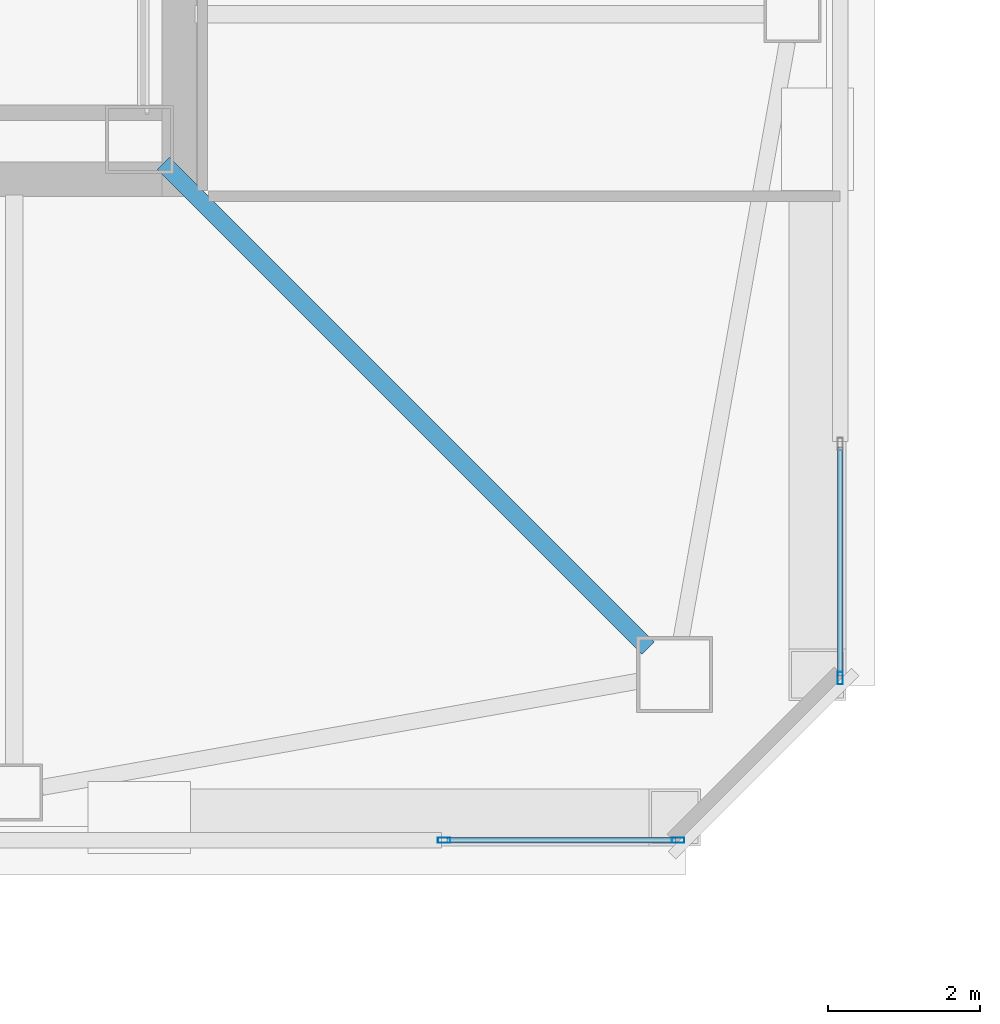
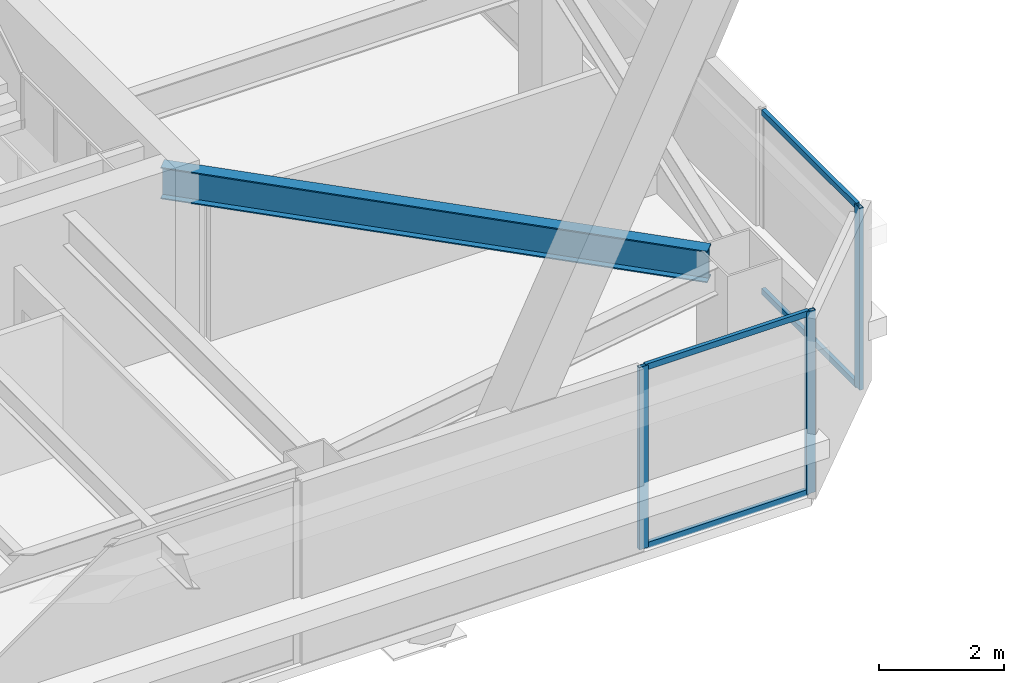
# One storey, part 13 of 56: 7 members, 1 beam, 2 elements without a shape of their own.
"""IFC4 building model written with IfcOpenShell, lengths in metres."""

from ifc_helpers import new_model, si_unit, direction, frame, origin, origin_2d, place, context, subcontext, project, spatial, hollow_rectangle, i_section, extrude, material, material_profile, profile_set, type_object, element, aggregate, save


model = new_model("IFC4")

# Units and contexts
model_context = context("Model", 3, precision=1e-05, world=origin(), true_north=direction((0.0, 1.0)))
body_context = subcontext(model_context, "Body", "Model", "MODEL_VIEW")
ifc_project = project(units=[si_unit("LENGTHUNIT", "METRE"), si_unit("AREAUNIT", "SQUARE_METRE"), si_unit("VOLUMEUNIT", "CUBIC_METRE"), si_unit("PLANEANGLEUNIT", "RADIAN"), si_unit("MASSUNIT", "GRAM", prefix="KILO")], contexts=[model_context])

# Site, building, storey
site_placement = place(None, origin())
site = spatial("IfcSite", under=ifc_project, at=site_placement, CompositionType="ELEMENT")
building_placement = place(site_placement, origin())
building = spatial("IfcBuilding", under=site, at=building_placement, Name="Tashvorn Skyway Center", CompositionType="ELEMENT")
storey_placement = place(building_placement, frame((0.0, 0.0, 218.39990234375)))
storey = spatial("IfcBuildingStorey", under=building, at=storey_placement, Name="L59", CompositionType="ELEMENT", Elevation=218.39990234375)

# Beam
ifc_material_1 = material(Name="Steel ASTM A992 Grade 50", Category="steel")
ifc_material_profile_1 = material_profile(ifc_material_1, i_section(OverallWidth=0.22998046875, OverallDepth=0.616943359375, WebThickness=0.01318359375, FlangeThickness=0.022216796875, at=origin_2d()), Name="W24X94")
ifc_profile_set_1 = profile_set([ifc_material_profile_1], Name="Steel ASTM A992 Grade 50")
beam_type = type_object("IfcBeamType", Name="BM-BEAM-W24X94", PredefinedType="BEAM", material=ifc_profile_set_1)
beam_placement = place(storey_placement, frame((55.75, 18.25, 3.0615234375), z_axis=(-0.707106781187, 0.707106781187, 0.0), x_axis=(-0.707106781187, -0.707106781187, 0.0)))
element("IfcBeam", 1, at=beam_placement, inside=storey, type_object=beam_type, Name="Tower 1 L59 Primary Floor Girder MC-SE", PredefinedType="BEAM", context=body_context, shape_type="SweptSolid", body=[
    extrude(i_section(OverallWidth=0.22998046875, OverallDepth=0.616943359375, WebThickness=0.01318359375, FlangeThickness=0.022216796875, at=origin_2d()), origin(), (0.0, 0.0, 1.0), 9.030029296875),
])

# Curtain wall, members
ifc_material_2 = material(Name="Thermally broken bronze-anodized aluminium 6063-T6", Category="aluminium")
curtain_wall_type = type_object("IfcCurtainWallType", Name="CW-CW-Z5", PredefinedType="NOTDEFINED", material=ifc_material_2)
curtain_wall_1_placement = place(storey_placement, origin())
curtain_wall_1 = element("IfcCurtainWall", 2, at=curtain_wall_1_placement, inside=storey, type_object=curtain_wall_type, Name="Tower 1 L59 South Unitised Curtain Wall Glazing Group 1", PredefinedType="NOTDEFINED")
ifc_material_profile_2 = material_profile(ifc_material_2, hollow_rectangle(XDim=0.070068359375, YDim=0.1650390625, WallThickness=0.00390625, at=origin_2d()), Name="ALU-MULL-70x165")
ifc_profile_set_2 = profile_set([ifc_material_profile_2], Name="Thermally broken bronze-anodized aluminium 6063-T6")
member_type_1 = type_object("IfcMemberType", Name="CWM-CW-Z5", PredefinedType="MULLION", material=ifc_profile_set_2)
member_1_placement = place(storey_placement, frame((56.14501953125, 15.719970703125, 0.0), z_axis=(0.0, 0.0, 1.0), x_axis=(0.0, -1.0, 0.0)))
member_1 = element("IfcMember", 3, at=member_1_placement, type_object=member_type_1, Name="CW-Z5 mullion 1", PredefinedType="MULLION", context=body_context, shape_type="SweptSolid", body=[
    extrude(hollow_rectangle(XDim=0.070068359375, YDim=0.1650390625, WallThickness=0.00390625, at=origin_2d()), origin(), (0.0, 0.0, 1.0), 3.550048828125),
])
member_2_placement = place(storey_placement, frame((53.06396484375, 15.719970703125, 0.0), z_axis=(0.0, 0.0, 1.0), x_axis=(0.0, -1.0, 0.0)))
member_2 = element("IfcMember", 4, at=member_2_placement, type_object=member_type_1, Name="CW-Z5 mullion 2", PredefinedType="MULLION", context=body_context, shape_type="SweptSolid", body=[
    extrude(hollow_rectangle(XDim=0.070068359375, YDim=0.1650390625, WallThickness=0.00390625, at=origin_2d()), origin(), (0.0, 0.0, 1.0), 3.550048828125),
])

# Curtain wall, member
curtain_wall_2_placement = place(storey_placement, origin())
curtain_wall_2 = element("IfcCurtainWall", 5, at=curtain_wall_2_placement, inside=storey, type_object=curtain_wall_type, Name="Tower 1 L59 East Unitised Curtain Wall Glazing Group 3", PredefinedType="NOTDEFINED")
member_3_placement = place(storey_placement, frame((58.280029296875, 17.85498046875, 0.0), z_axis=(0.0, 0.0, 1.0), x_axis=(1.0, 0.0, 0.0)))
member_3 = element("IfcMember", 6, at=member_3_placement, type_object=member_type_1, Name="CW-Z5 mullion 2", PredefinedType="MULLION", context=body_context, shape_type="SweptSolid", body=[
    extrude(hollow_rectangle(XDim=0.070068359375, YDim=0.1650390625, WallThickness=0.00390625, at=origin_2d()), origin(), (0.0, 0.0, 1.0), 3.550048828125),
])

# Member
ifc_material_profile_3 = material_profile(ifc_material_2, hollow_rectangle(XDim=0.070068359375, YDim=0.114990234375, WallThickness=0.00390625, at=origin_2d()), Name="ALU-TRAN-70x115")
ifc_profile_set_3 = profile_set([ifc_material_profile_3], Name="Thermally broken bronze-anodized aluminium 6063-T6")
member_type_2 = type_object("IfcMemberType", Name="CWT-CW-Z5", PredefinedType="USERDEFINED", material=ifc_profile_set_3)
member_4_placement = place(storey_placement, frame((56.110107421875, 15.719970703125, 0.03515625), z_axis=(-1.0, 0.0, 0.0), x_axis=(0.0, -1.0, 0.0)))
member_4 = element("IfcMember", 7, at=member_4_placement, type_object=member_type_2, Name="CW-Z5 transom 1.1", ObjectType="TRANSOM", PredefinedType="USERDEFINED", context=body_context, shape_type="SweptSolid", body=[
    extrude(hollow_rectangle(XDim=0.070068359375, YDim=0.114990234375, WallThickness=0.00390625, at=origin_2d()), origin(), (0.0, 0.0, 1.0), 3.01123046875),
])

member_5_placement = place(storey_placement, frame((56.110107421875, 15.719970703125, 3.51513671875), z_axis=(-1.0, 0.0, 0.0), x_axis=(0.0, -1.0, 0.0)))
member_5 = element("IfcMember", 8, at=member_5_placement, type_object=member_type_2, Name="CW-Z5 transom 1.2", ObjectType="TRANSOM", PredefinedType="USERDEFINED", context=body_context, shape_type="SweptSolid", body=[
    extrude(hollow_rectangle(XDim=0.070068359375, YDim=0.114990234375, WallThickness=0.00390625, at=origin_2d()), origin(), (0.0, 0.0, 1.0), 3.01123046875),
])

aggregate(curtain_wall_1, [member_1, member_2, member_4, member_5])

member_6_placement = place(storey_placement, frame((58.280029296875, 20.901123046875, 0.03515625), z_axis=(0.0, -1.0, 0.0), x_axis=(1.0, 0.0, 0.0)))
member_6 = element("IfcMember", 9, at=member_6_placement, type_object=member_type_2, Name="CW-Z5 transom 1.1", ObjectType="TRANSOM", PredefinedType="USERDEFINED", context=body_context, shape_type="SweptSolid", body=[
    extrude(hollow_rectangle(XDim=0.070068359375, YDim=0.114990234375, WallThickness=0.00390625, at=origin_2d()), origin(), (0.0, 0.0, 1.0), 3.01123046875),
])

member_7_placement = place(storey_placement, frame((58.280029296875, 20.901123046875, 3.51513671875), z_axis=(0.0, -1.0, 0.0), x_axis=(1.0, 0.0, 0.0)))
member_7 = element("IfcMember", 10, at=member_7_placement, type_object=member_type_2, Name="CW-Z5 transom 1.2", ObjectType="TRANSOM", PredefinedType="USERDEFINED", context=body_context, shape_type="SweptSolid", body=[
    extrude(hollow_rectangle(XDim=0.070068359375, YDim=0.114990234375, WallThickness=0.00390625, at=origin_2d()), origin(), (0.0, 0.0, 1.0), 3.01123046875),
])

aggregate(curtain_wall_2, [member_3, member_6, member_7])

save(model, "model.ifc")
